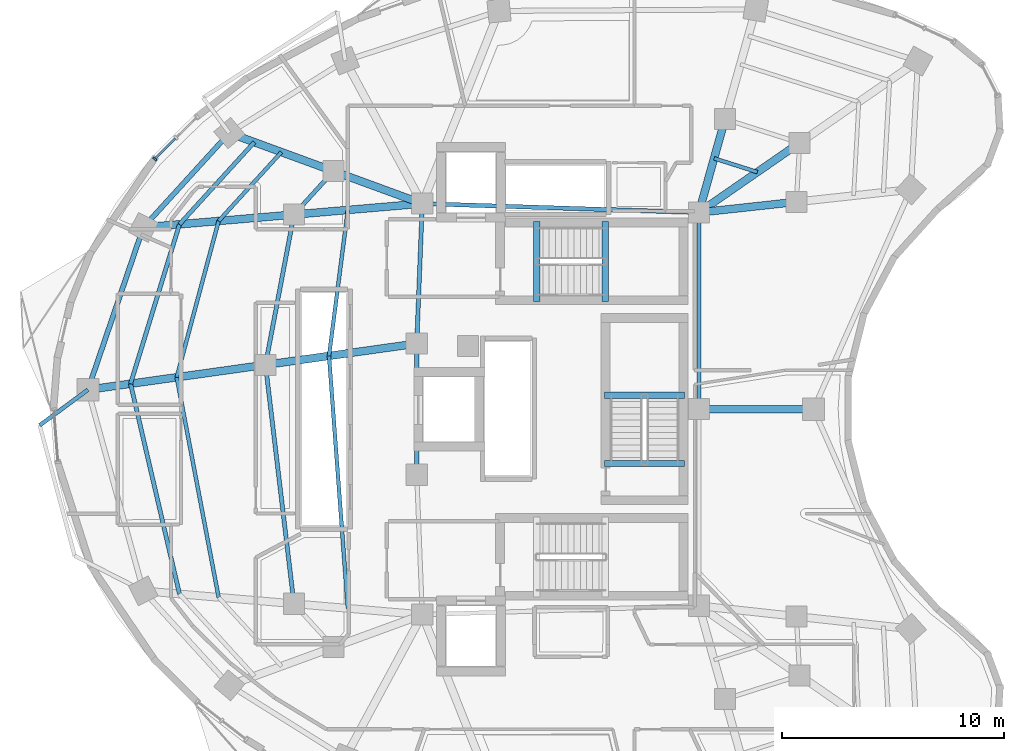
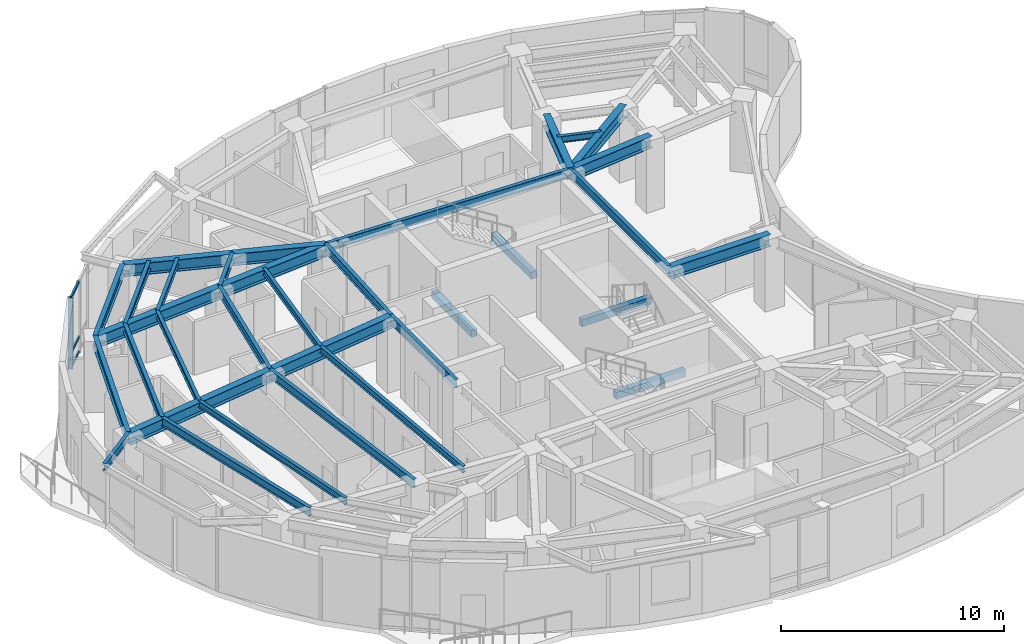
# One storey, part 3 of 13: 33 beams, 4 members, 1 element without a shape of its own.
"""IFC4 building model written with IfcOpenShell, lengths in metres."""

from ifc_helpers import new_model, si_unit, direction, frame, origin, origin_2d, place, context, subcontext, project, spatial, rectangle, i_section, extrude, material, layer, layer_set, material_profile, profile_set, type_object, element, aggregate, save


model = new_model("IFC4")

# Units and contexts
model_context = context("Model", 3, precision=1e-05, world=origin(), true_north=direction((0.0, 1.0)))
body_context = subcontext(model_context, "Body", "Model", "MODEL_VIEW")
ifc_project = project(units=[si_unit("LENGTHUNIT", "METRE"), si_unit("AREAUNIT", "SQUARE_METRE"), si_unit("VOLUMEUNIT", "CUBIC_METRE"), si_unit("PLANEANGLEUNIT", "RADIAN"), si_unit("MASSUNIT", "GRAM", prefix="KILO")], contexts=[model_context])

# Site, building, storey
site_placement = place(None, origin())
site = spatial("IfcSite", under=ifc_project, at=site_placement, CompositionType="ELEMENT")
building_placement = place(site_placement, origin())
building = spatial("IfcBuilding", under=site, at=building_placement, Name="Korentha Bioscience Tower", CompositionType="ELEMENT")
storey_placement = place(building_placement, frame((0.0, 0.0, 204.60009765625)))
storey = spatial("IfcBuildingStorey", under=building, at=storey_placement, Name="L47", CompositionType="ELEMENT", Elevation=204.60009765625)

# Beams
ifc_material_1 = material(Name="Concrete C50", Category="concrete")
ifc_material_profile_1 = material_profile(ifc_material_1, rectangle(XDim=0.280029296875, YDim=0.3798828125, at=origin_2d()), Name="Concrete C50")
ifc_profile_set_1 = profile_set([ifc_material_profile_1], Name="Concrete C50 (ST-HB380)")
beam_type_1 = type_object("IfcBeamType", Name="Concrete Stair Header Beam RC 280x380", PredefinedType="BEAM", material=ifc_profile_set_1)
for number, where, z_axis, x_axis, name in (
    (1, (30.25, 31.85009765625, -0.190185546875), (0.0, 1.0, 0.0), (-1.0, 0.0, 0.0), "L47 ST-1 Concrete Stair Header Beam"),
    (2, (33.330078125, 31.85009765625, 1.909912109375), (0.0, 1.0, 0.0), (-1.0, 0.0, 0.0), "L47 ST-1 Half-Landing Header Beam 1"),
    (3, (36.89990234375, 24.550048828125, -0.190185546875), (-1.0, 0.0, 0.0), (0.0, -1.0, 0.0), "L47 ST-3 Concrete Stair Header Beam"),
    (4, (36.89990234375, 27.6298828125, 1.909912109375), (-1.0, 0.0, 0.0), (0.0, -1.0, 0.0), "L47 ST-3 Half-Landing Header Beam 1"),
):
    element("IfcBeam", number, at=place(storey_placement, frame(where, z_axis=z_axis, x_axis=x_axis)), inside=storey, type_object=beam_type_1, Name=name, PredefinedType="BEAM", context=body_context, shape_type="SweptSolid", body=[
        extrude(rectangle(XDim=0.280029296875, YDim=0.3798828125, at=origin_2d()), origin(), (0.0, 0.0, 1.0), 3.599853515625),
    ])
ifc_material_2 = material(Name="Steel S355", Category="steel")
ifc_material_profile_2 = material_profile(ifc_material_2, i_section(OverallWidth=0.18994140625, OverallDepth=0.45703125, WebThickness=0.009033203125, FlangeThickness=0.014404296875, at=origin_2d()), Name="Steel S355")
ifc_profile_set_2 = profile_set([ifc_material_profile_2], Name="Steel S355 (MB-460)")
beam_type_2 = type_object("IfcBeamType", Name="Mid-Ring Tie Girder W460x74", PredefinedType="BEAM", material=ifc_profile_set_2)
beam_1_placement = place(storey_placement, frame((21.105224609375, 37.711669921875, 3.67138671875), z_axis=(-0.673513544519, -0.739174881438, 0.0), x_axis=(0.739174881438, -0.673513544519, 0.0)))
element("IfcBeam", 5, at=beam_1_placement, inside=storey, type_object=beam_type_2, Name="L47 Mid-Ring Tie Girder 05", PredefinedType="BEAM", context=body_context, shape_type="SweptSolid", body=[
    extrude(i_section(OverallWidth=0.18994140625, OverallDepth=0.45703125, WebThickness=0.009033203125, FlangeThickness=0.014404296875, at=origin_2d()), origin(), (0.0, 0.0, 1.0), 2.6435546875),
])
beam_2_placement = place(storey_placement, frame((19.32470703125, 35.757568359375, 3.67138671875), z_axis=(-0.18622207702, -0.982507678357, 0.0), x_axis=(0.982507678357, -0.18622207702, 0.0)))
element("IfcBeam", 6, at=beam_2_placement, inside=storey, type_object=beam_type_2, Name="L47 Mid-Ring Tie Girder 06", PredefinedType="BEAM", context=body_context, shape_type="SweptSolid", body=[
    extrude(i_section(OverallWidth=0.18994140625, OverallDepth=0.45703125, WebThickness=0.009033203125, FlangeThickness=0.014404296875, at=origin_2d()), origin(), (0.0, 0.0, 1.0), 6.8828125),
])
beam_3_placement = place(storey_placement, frame((18.04296875, 28.9951171875, 3.67138671875), z_axis=(0.118363737679, -0.992970304492, 0.0), x_axis=(0.992970304492, 0.118363737679, 0.0)))
element("IfcBeam", 7, at=beam_3_placement, inside=storey, type_object=beam_type_2, Name="L47 Mid-Ring Tie Girder 07", PredefinedType="BEAM", context=body_context, shape_type="SweptSolid", body=[
    extrude(i_section(OverallWidth=0.18994140625, OverallDepth=0.45703125, WebThickness=0.009033203125, FlangeThickness=0.014404296875, at=origin_2d()), origin(), (0.0, 0.0, 1.0), 10.828857421875),
])
beam_4_placement = place(storey_placement, frame((37.550048828125, 35.85009765625, 3.67138671875), z_axis=(-0.999484526071, 0.032104238723, 0.0), x_axis=(-0.032104238723, -0.999484526071, 0.0)))
element("IfcBeam", 8, at=beam_4_placement, inside=storey, type_object=beam_type_2, Name="L47 Core Ring Tie Girder 01", PredefinedType="BEAM", context=body_context, shape_type="SweptSolid", body=[
    extrude(i_section(OverallWidth=0.18994140625, OverallDepth=0.45703125, WebThickness=0.009033203125, FlangeThickness=0.014404296875, at=origin_2d()), origin(), (0.0, 0.0, 1.0), 12.456298828125),
])
beam_5_placement = place(storey_placement, frame((25.10009765625, 36.25, 3.67138671875), z_axis=(-0.039651025576, -0.999213588864, 0.0), x_axis=(0.999213588864, -0.039651025576, 0.0)))
element("IfcBeam", 9, at=beam_5_placement, inside=storey, type_object=beam_type_2, Name="L47 Core Ring Tie Girder 02", PredefinedType="BEAM", context=body_context, shape_type="SweptSolid", body=[
    extrude(i_section(OverallWidth=0.18994140625, OverallDepth=0.45703125, WebThickness=0.009033203125, FlangeThickness=0.014404296875, at=origin_2d()), origin(), (0.0, 0.0, 1.0), 6.304931640625),
])
beam_6_placement = place(storey_placement, frame((24.85009765625, 29.949951171875, 3.67138671875), z_axis=(0.0, -1.0, 0.0), x_axis=(1.0, 0.0, 0.0)))
element("IfcBeam", 10, at=beam_6_placement, inside=storey, type_object=beam_type_2, Name="L47 Core Ring Tie Girder 03", PredefinedType="BEAM", context=body_context, shape_type="SweptSolid", body=[
    extrude(i_section(OverallWidth=0.18994140625, OverallDepth=0.45703125, WebThickness=0.009033203125, FlangeThickness=0.014404296875, at=origin_2d()), origin(), (0.0, 0.0, 1.0), 5.89990234375),
])
beam_7_placement = place(storey_placement, frame((37.550048828125, 27.0, 3.67138671875), z_axis=(0.0, 1.0, 0.0), x_axis=(-1.0, 0.0, 0.0)))
element("IfcBeam", 11, at=beam_7_placement, inside=storey, type_object=beam_type_2, Name="L47 Core Ring Tie Girder 07", PredefinedType="BEAM", context=body_context, shape_type="SweptSolid", body=[
    extrude(i_section(OverallWidth=0.18994140625, OverallDepth=0.45703125, WebThickness=0.009033203125, FlangeThickness=0.014404296875, at=origin_2d()), origin(), (0.0, 0.0, 1.0), 8.85009765625),
])

# Curtain wall, member
ifc_material_3 = material(Name="Thermally Broken Aluminium Frame", Category="aluminium")
ifc_layer = layer(ifc_material_3, 0.219970703125, Name="Thermally Broken Aluminium Frame")
ifc_layer_set = layer_set([ifc_layer], Name="Thermally Broken Aluminium Frame (CW-T1)")
curtain_wall_type = type_object("IfcCurtainWallType", Name="Standard Bioscience Lab Unitised Curtain Wall CW-T1", PredefinedType="USERDEFINED", material=ifc_layer_set)
curtain_wall_placement = place(storey_placement, origin())
curtain_wall = element("IfcCurtainWall", 12, at=curtain_wall_placement, inside=storey, type_object=curtain_wall_type, Name="L47 Curtain Wall 13", ObjectType="UNITISED", PredefinedType="USERDEFINED")
ifc_material_4 = material(Name="Anodised Aluminium 6063-T6", Category="aluminium")
ifc_material_profile_3 = material_profile(ifc_material_4, rectangle(XDim=0.090087890625, YDim=0.199951171875, at=origin_2d()), Name="Anodised Aluminium 6063-T6")
ifc_profile_set_3 = profile_set([ifc_material_profile_3], Name="Anodised Aluminium 6063-T6 (CW-MUL)")
member_type_1 = type_object("IfcMemberType", Name="Mullion RECT 90x200", PredefinedType="MULLION", material=ifc_profile_set_3)
member_1_placement = place(storey_placement, frame((13.057861328125, 38.262451171875, 0.0), z_axis=(0.0, 0.0, 1.0), x_axis=(-0.711177694756, -0.703012294688, 0.0)))
member_1 = element("IfcMember", 13, at=member_1_placement, type_object=member_type_1, Name="CW-L47-13 Mullion 3", PredefinedType="MULLION", context=body_context, shape_type="SweptSolid", body=[
    extrude(rectangle(XDim=0.090087890625, YDim=0.199951171875, at=origin_2d()), origin(), (0.0, 0.0, 1.0), 3.89990234375),
])

# Beams
ifc_material_profile_4 = material_profile(ifc_material_2, i_section(OverallWidth=0.22802734375, OverallDepth=0.60791015625, WebThickness=0.01123046875, FlangeThickness=0.017333984375, at=origin_2d()), Name="Steel S355")
ifc_profile_set_4 = profile_set([ifc_material_profile_4], Name="Steel S355 (SB-610)")
beam_type_3 = type_object("IfcBeamType", Name="Perimeter Ring Spandrel Girder W610x113", PredefinedType="SPANDREL", material=ifc_profile_set_4)
beam_8_placement = place(storey_placement, frame((16.415771484375, 39.427490234375, 3.595947265625), z_axis=(-0.673503408544, -0.739184116902, 0.0), x_axis=(0.739184116902, -0.673503408544, 0.0)))
element("IfcBeam", 14, at=beam_8_placement, inside=storey, type_object=beam_type_3, Name="L47 Perimeter Spandrel Girder 05", PredefinedType="SPANDREL", context=body_context, shape_type="SweptSolid", body=[
    extrude(i_section(OverallWidth=0.22802734375, OverallDepth=0.60791015625, WebThickness=0.01123046875, FlangeThickness=0.017333984375, at=origin_2d()), origin(), (0.0, 0.0, 1.0), 5.74658203125),
])
beam_9_placement = place(storey_placement, frame((12.54541015625, 35.1796875, 3.595947265625), z_axis=(-0.322984950564, -0.94640410064, 0.0), x_axis=(0.94640410064, -0.322984950564, 0.0)))
element("IfcBeam", 15, at=beam_9_placement, inside=storey, type_object=beam_type_3, Name="L47 Perimeter Spandrel Girder 06", PredefinedType="SPANDREL", context=body_context, shape_type="SweptSolid", body=[
    extrude(i_section(OverallWidth=0.22802734375, OverallDepth=0.60791015625, WebThickness=0.01123046875, FlangeThickness=0.017333984375, at=origin_2d()), origin(), (0.0, 0.0, 1.0), 7.71923828125),
])
ifc_material_profile_5 = material_profile(ifc_material_2, i_section(OverallWidth=0.18994140625, OverallDepth=0.45703125, WebThickness=0.009033203125, FlangeThickness=0.014404296875, at=origin_2d()), Name="Steel S355")
ifc_profile_set_5 = profile_set([ifc_material_profile_5], Name="Steel S355 (RB-460)")
beam_type_4 = type_object("IfcBeamType", Name="Radial Laboratory Beam W460x74", PredefinedType="BEAM", material=ifc_profile_set_5)
beam_10_placement = place(storey_placement, frame((17.541259765625, 39.015869140625, 3.67138671875), z_axis=(-0.67349592261, -0.739190937599, 0.0), x_axis=(0.739190937599, -0.67349592261, 0.0)))
element("IfcBeam", 16, at=beam_10_placement, inside=storey, type_object=beam_type_4, Name="L47 Secondary Floor Beam JSTO-05", PredefinedType="BEAM", context=body_context, shape_type="SweptSolid", body=[
    extrude(i_section(OverallWidth=0.18994140625, OverallDepth=0.45703125, WebThickness=0.009033203125, FlangeThickness=0.014404296875, at=origin_2d()), origin(), (0.0, 0.0, 1.0), 5.002197265625),
])
beam_11_placement = place(storey_placement, frame((14.17236328125, 35.318359375, 3.67138671875), z_axis=(-0.293438905434, -0.955977828601, 0.0), x_axis=(0.955977828601, -0.293438905434, 0.0)))
element("IfcBeam", 17, at=beam_11_placement, inside=storey, type_object=beam_type_4, Name="L47 Secondary Floor Beam JSTO-06", PredefinedType="BEAM", context=body_context, shape_type="SweptSolid", body=[
    extrude(i_section(OverallWidth=0.18994140625, OverallDepth=0.45703125, WebThickness=0.009033203125, FlangeThickness=0.014404296875, at=origin_2d()), origin(), (0.0, 0.0, 1.0), 7.50537109375),
])
beam_12_placement = place(storey_placement, frame((11.969970703125, 28.143310546875, 3.67138671875), z_axis=(0.226709214866, -0.973962489983, 0.0), x_axis=(0.973962489983, 0.226709214866, 0.0)))
element("IfcBeam", 18, at=beam_12_placement, inside=storey, type_object=beam_type_4, Name="L47 Secondary Floor Beam JSTO-07", PredefinedType="BEAM", context=body_context, shape_type="SweptSolid", body=[
    extrude(i_section(OverallWidth=0.18994140625, OverallDepth=0.45703125, WebThickness=0.009033203125, FlangeThickness=0.014404296875, at=origin_2d()), origin(), (0.0, 0.0, 1.0), 9.714599609375),
])
ifc_material_profile_6 = material_profile(ifc_material_2, i_section(OverallWidth=0.35009765625, OverallDepth=0.64990234375, WebThickness=0.01611328125, FlangeThickness=0.02490234375, at=origin_2d()), Name="Steel S355")
ifc_profile_set_6 = profile_set([ifc_material_profile_6], Name="Steel S355 (RB-650)")
beam_type_5 = type_object("IfcBeamType", Name="Radial Laboratory Girder CVS 650x208", PredefinedType="BEAM", material=ifc_profile_set_6)
beam_13_placement = place(storey_placement, frame((37.550048828125, 35.85009765625, 3.574951171875), z_axis=(0.822493403442, 0.568774648956, 0.0), x_axis=(-0.568774648956, 0.822493403442, 0.0)))
element("IfcBeam", 19, at=beam_13_placement, inside=storey, type_object=beam_type_5, Name="L47 Inner Radial Girder 01", PredefinedType="BEAM", context=body_context, shape_type="SweptSolid", body=[
    extrude(i_section(OverallWidth=0.35009765625, OverallDepth=0.64990234375, WebThickness=0.01611328125, FlangeThickness=0.02490234375, at=origin_2d()), origin(), (0.0, 0.0, 1.0), 5.5126953125),
])
beam_14_placement = place(storey_placement, frame((37.550048828125, 35.85009765625, 3.574951171875), z_axis=(0.269463926865, 0.963010483909, 0.0), x_axis=(-0.963010483909, 0.269463926865, 0.0)))
element("IfcBeam", 20, at=beam_14_placement, inside=storey, type_object=beam_type_5, Name="L47 Inner Radial Girder 02", PredefinedType="BEAM", context=body_context, shape_type="SweptSolid", body=[
    extrude(i_section(OverallWidth=0.35009765625, OverallDepth=0.64990234375, WebThickness=0.01611328125, FlangeThickness=0.02490234375, at=origin_2d()), origin(), (0.0, 0.0, 1.0), 4.3642578125),
])
beam_15_placement = place(storey_placement, frame((25.10009765625, 36.25, 3.574951171875), z_axis=(-0.939112914942, 0.343608691668, 0.0), x_axis=(-0.343608691668, -0.939112914942, 0.0)))
element("IfcBeam", 21, at=beam_15_placement, inside=storey, type_object=beam_type_5, Name="L47 Inner Radial Girder 05", PredefinedType="BEAM", context=body_context, shape_type="SweptSolid", body=[
    extrude(i_section(OverallWidth=0.35009765625, OverallDepth=0.64990234375, WebThickness=0.01611328125, FlangeThickness=0.02490234375, at=origin_2d()), origin(), (0.0, 0.0, 1.0), 4.25390625),
])
beam_16_placement = place(storey_placement, frame((21.105224609375, 37.711669921875, 3.574951171875), z_axis=(-0.939112078038, 0.343610978991, 0.0), x_axis=(-0.343610978991, -0.939112078038, 0.0)))
element("IfcBeam", 22, at=beam_16_placement, inside=storey, type_object=beam_type_5, Name="L47 Outer Radial Girder 05", PredefinedType="BEAM", context=body_context, shape_type="SweptSolid", body=[
    extrude(i_section(OverallWidth=0.35009765625, OverallDepth=0.64990234375, WebThickness=0.01611328125, FlangeThickness=0.02490234375, at=origin_2d()), origin(), (0.0, 0.0, 1.0), 4.993408203125),
])
beam_17_placement = place(storey_placement, frame((25.10009765625, 36.25, 3.574951171875), z_axis=(-0.996384743884, -0.084955530454, 0.0), x_axis=(0.084955530454, -0.996384743884, 0.0)))
element("IfcBeam", 23, at=beam_17_placement, inside=storey, type_object=beam_type_5, Name="L47 Inner Radial Girder 06", PredefinedType="BEAM", context=body_context, shape_type="SweptSolid", body=[
    extrude(i_section(OverallWidth=0.35009765625, OverallDepth=0.64990234375, WebThickness=0.01611328125, FlangeThickness=0.02490234375, at=origin_2d()), origin(), (0.0, 0.0, 1.0), 5.79638671875),
])
beam_18_placement = place(storey_placement, frame((19.32470703125, 35.757568359375, 3.574951171875), z_axis=(-0.996386580267, -0.084933990042, 0.0), x_axis=(0.084933990042, -0.996386580267, 0.0)))
element("IfcBeam", 24, at=beam_18_placement, inside=storey, type_object=beam_type_5, Name="L47 Outer Radial Girder 06", PredefinedType="BEAM", context=body_context, shape_type="SweptSolid", body=[
    extrude(i_section(OverallWidth=0.35009765625, OverallDepth=0.64990234375, WebThickness=0.01611328125, FlangeThickness=0.02490234375, at=origin_2d()), origin(), (0.0, 0.0, 1.0), 6.803955078125),
])
beam_19_placement = place(storey_placement, frame((24.85009765625, 29.949951171875, 3.574951171875), z_axis=(-0.990305037789, -0.138909798536, 0.0), x_axis=(0.138909798536, -0.990305037789, 0.0)))
element("IfcBeam", 25, at=beam_19_placement, inside=storey, type_object=beam_type_5, Name="L47 Inner Radial Girder 07", PredefinedType="BEAM", context=body_context, shape_type="SweptSolid", body=[
    extrude(i_section(OverallWidth=0.35009765625, OverallDepth=0.64990234375, WebThickness=0.01611328125, FlangeThickness=0.02490234375, at=origin_2d()), origin(), (0.0, 0.0, 1.0), 6.873779296875),
])
beam_20_placement = place(storey_placement, frame((18.04296875, 28.9951171875, 3.574951171875), z_axis=(-0.990305152436, -0.138908981205, 0.0), x_axis=(0.138908981205, -0.990305152436, 0.0)))
element("IfcBeam", 26, at=beam_20_placement, inside=storey, type_object=beam_type_5, Name="L47 Outer Radial Girder 07", PredefinedType="BEAM", context=body_context, shape_type="SweptSolid", body=[
    extrude(i_section(OverallWidth=0.35009765625, OverallDepth=0.64990234375, WebThickness=0.01611328125, FlangeThickness=0.02490234375, at=origin_2d()), origin(), (0.0, 0.0, 1.0), 8.06884765625),
])
beam_21_placement = place(storey_placement, frame((37.550048828125, 27.0, 3.574951171875), z_axis=(1.0, 0.0, 0.0), x_axis=(0.0, 1.0, 0.0)))
element("IfcBeam", 27, at=beam_21_placement, inside=storey, type_object=beam_type_5, Name="L47 Radial Girder 15", PredefinedType="BEAM", context=body_context, shape_type="SweptSolid", body=[
    extrude(i_section(OverallWidth=0.35009765625, OverallDepth=0.64990234375, WebThickness=0.01611328125, FlangeThickness=0.02490234375, at=origin_2d()), origin(), (0.0, 0.0, 1.0), 5.158935546875),
])
beam_22_placement = place(storey_placement, frame((37.550048828125, 35.85009765625, 3.574951171875), z_axis=(0.99412286891, 0.108257662593, 0.0), x_axis=(-0.108257662593, 0.99412286891, 0.0)))
element("IfcBeam", 28, at=beam_22_placement, inside=storey, type_object=beam_type_5, Name="L47 Inner Radial Girder 16", PredefinedType="BEAM", context=body_context, shape_type="SweptSolid", body=[
    extrude(i_section(OverallWidth=0.35009765625, OverallDepth=0.64990234375, WebThickness=0.01611328125, FlangeThickness=0.02490234375, at=origin_2d()), origin(), (0.0, 0.0, 1.0), 4.413330078125),
])
ifc_material_profile_7 = material_profile(ifc_material_2, i_section(OverallWidth=0.1708984375, OverallDepth=0.35498046875, WebThickness=0.007080078125, FlangeThickness=0.01171875, at=origin_2d()), Name="Steel S355")
ifc_profile_set_7 = profile_set([ifc_material_profile_7], Name="Steel S355 (JB-360)")
beam_type_6 = type_object("IfcBeamType", Name="Secondary Laboratory Joist W360x51", PredefinedType="JOIST", material=ifc_profile_set_7)
beam_23_placement = place(storey_placement, frame((40.1796875, 37.668701171875, 3.722412109375), z_axis=(-0.953033984423, 0.30286337602, 0.0), x_axis=(-0.30286337602, -0.953033984423, 0.0)))
element("IfcBeam", 29, at=beam_23_placement, inside=storey, type_object=beam_type_6, Name="L47 Inner Bay Joist 01", PredefinedType="JOIST", context=body_context, shape_type="SweptSolid", body=[
    extrude(i_section(OverallWidth=0.1708984375, OverallDepth=0.35498046875, WebThickness=0.007080078125, FlangeThickness=0.01171875, at=origin_2d()), origin(), (0.0, 0.0, 1.0), 2.04345703125),
])
beam_24_placement = place(storey_placement, frame((18.760498046875, 38.569580078125, 3.722412109375), z_axis=(-0.673492116079, -0.739194405809, 0.0), x_axis=(0.739194405809, -0.673492116079, 0.0)))
element("IfcBeam", 30, at=beam_24_placement, inside=storey, type_object=beam_type_6, Name="L47 Secondary Floor Beam JST-05", PredefinedType="JOIST", context=body_context, shape_type="SweptSolid", body=[
    extrude(i_section(OverallWidth=0.1708984375, OverallDepth=0.35498046875, WebThickness=0.007080078125, FlangeThickness=0.01171875, at=origin_2d()), origin(), (0.0, 0.0, 1.0), 4.1953125),
])
beam_25_placement = place(storey_placement, frame((15.93505859375, 35.468505859375, 3.722412109375), z_axis=(-0.259166702541, -0.965832604696, 0.0), x_axis=(0.965832604696, -0.259166702541, 0.0)))
element("IfcBeam", 31, at=beam_25_placement, inside=storey, type_object=beam_type_6, Name="L47 Secondary Floor Beam JST-06", PredefinedType="JOIST", context=body_context, shape_type="SweptSolid", body=[
    extrude(i_section(OverallWidth=0.1708984375, OverallDepth=0.35498046875, WebThickness=0.007080078125, FlangeThickness=0.01171875, at=origin_2d()), origin(), (0.0, 0.0, 1.0), 7.28271484375),
])
beam_26_placement = place(storey_placement, frame((21.75048828125, 35.96435546875, 3.722412109375), z_axis=(-0.12813977135, -0.99175611871, 0.0), x_axis=(0.99175611871, -0.12813977135, 0.0)))
element("IfcBeam", 32, at=beam_26_placement, inside=storey, type_object=beam_type_6, Name="L47 Inner Bay Joist 06", PredefinedType="JOIST", context=body_context, shape_type="SweptSolid", body=[
    extrude(i_section(OverallWidth=0.1708984375, OverallDepth=0.35498046875, WebThickness=0.007080078125, FlangeThickness=0.01171875, at=origin_2d()), origin(), (0.0, 0.0, 1.0), 6.622802734375),
])
beam_27_placement = place(storey_placement, frame((14.047607421875, 28.4345703125, 3.722412109375), z_axis=(0.187222275898, -0.982317575638, 0.0), x_axis=(0.982317575638, 0.187222275898, 0.0)))
element("IfcBeam", 33, at=beam_27_placement, inside=storey, type_object=beam_type_6, Name="L47 Secondary Floor Beam JST-07", PredefinedType="JOIST", context=body_context, shape_type="SweptSolid", body=[
    extrude(i_section(OverallWidth=0.1708984375, OverallDepth=0.35498046875, WebThickness=0.007080078125, FlangeThickness=0.01171875, at=origin_2d()), origin(), (0.0, 0.0, 1.0), 10.081298828125),
])
beam_28_placement = place(storey_placement, frame((20.90185546875, 29.396240234375, 3.722412109375), z_axis=(0.074492130035, -0.997221601532, 0.0), x_axis=(0.997221601532, 0.074492130035, 0.0)))
element("IfcBeam", 34, at=beam_28_placement, inside=storey, type_object=beam_type_6, Name="L47 Inner Bay Joist 07", PredefinedType="JOIST", context=body_context, shape_type="SweptSolid", body=[
    extrude(i_section(OverallWidth=0.1708984375, OverallDepth=0.35498046875, WebThickness=0.007080078125, FlangeThickness=0.01171875, at=origin_2d()), origin(), (0.0, 0.0, 1.0), 11.392333984375),
])
ifc_material_profile_8 = material_profile(ifc_material_2, i_section(OverallWidth=0.177978515625, OverallDepth=0.406982421875, WebThickness=0.0078125, FlangeThickness=0.0126953125, at=origin_2d()), Name="Steel S355")
ifc_profile_set_8 = profile_set([ifc_material_profile_8], Name="Steel S355 (CB-410)")
beam_type_7 = type_object("IfcBeamType", Name="Sun-Ledge Cantilever Beam W410x60", PredefinedType="BEAM", material=ifc_profile_set_8)
beam_29_placement = place(storey_placement, frame((10.05224609375, 27.874267578125, 3.698486328125), z_axis=(-0.804573049428, -0.593853692532, 0.0), x_axis=(0.593853692532, -0.804573049428, 0.0)))
element("IfcBeam", 35, at=beam_29_placement, inside=storey, type_object=beam_type_7, Name="L47 Balcony Cantilever Bracket A-L48-02", PredefinedType="BEAM", context=body_context, shape_type="SweptSolid", body=[
    extrude(i_section(OverallWidth=0.177978515625, OverallDepth=0.406982421875, WebThickness=0.0078125, FlangeThickness=0.0126953125, at=origin_2d()), origin(), (0.0, 0.0, 1.0), 2.696044921875),
])

# Member
ifc_material_profile_9 = material_profile(ifc_material_4, rectangle(XDim=0.090087890625, YDim=0.159912109375, at=origin_2d()), Name="Anodised Aluminium 6063-T6")
ifc_profile_set_9 = profile_set([ifc_material_profile_9], Name="Anodised Aluminium 6063-T6 (CW-TRN)")
member_type_2 = type_object("IfcMemberType", Name="Transom RECT 90x160", PredefinedType="USERDEFINED", material=ifc_profile_set_9)
member_2_placement = place(storey_placement, frame((13.98681640625, 39.180908203125, 0.044921875), z_axis=(-0.711159974777, -0.70303022003, 0.0), x_axis=(0.70303022003, -0.711159974777, 0.0)))
member_2 = element("IfcMember", 36, at=member_2_placement, type_object=member_type_2, Name="CW-L47-13 Bay 2 Transom 1", ObjectType="TRANSOM", PredefinedType="USERDEFINED", context=body_context, shape_type="SweptSolid", body=[
    extrude(rectangle(XDim=0.090087890625, YDim=0.159912109375, at=origin_2d()), origin(), (0.0, 0.0, 1.0), 1.26123046875),
])

member_3_placement = place(storey_placement, frame((13.98681640625, 39.180908203125, 0.849853515625), z_axis=(-0.711159974777, -0.70303022003, 0.0), x_axis=(0.70303022003, -0.711159974777, 0.0)))
member_3 = element("IfcMember", 37, at=member_3_placement, type_object=member_type_2, Name="CW-L47-13 Bay 2 Transom 2", ObjectType="TRANSOM", PredefinedType="USERDEFINED", context=body_context, shape_type="SweptSolid", body=[
    extrude(rectangle(XDim=0.090087890625, YDim=0.159912109375, at=origin_2d()), origin(), (0.0, 0.0, 1.0), 1.26123046875),
])

member_4_placement = place(storey_placement, frame((13.98681640625, 39.180908203125, 3.85498046875), z_axis=(-0.711159974777, -0.70303022003, 0.0), x_axis=(0.70303022003, -0.711159974777, 0.0)))
member_4 = element("IfcMember", 38, at=member_4_placement, type_object=member_type_2, Name="CW-L47-13 Bay 2 Transom 3", ObjectType="TRANSOM", PredefinedType="USERDEFINED", context=body_context, shape_type="SweptSolid", body=[
    extrude(rectangle(XDim=0.090087890625, YDim=0.159912109375, at=origin_2d()), origin(), (0.0, 0.0, 1.0), 1.26123046875),
])

aggregate(curtain_wall, [member_1, member_2, member_3, member_4])

save(model, "model.ifc")
